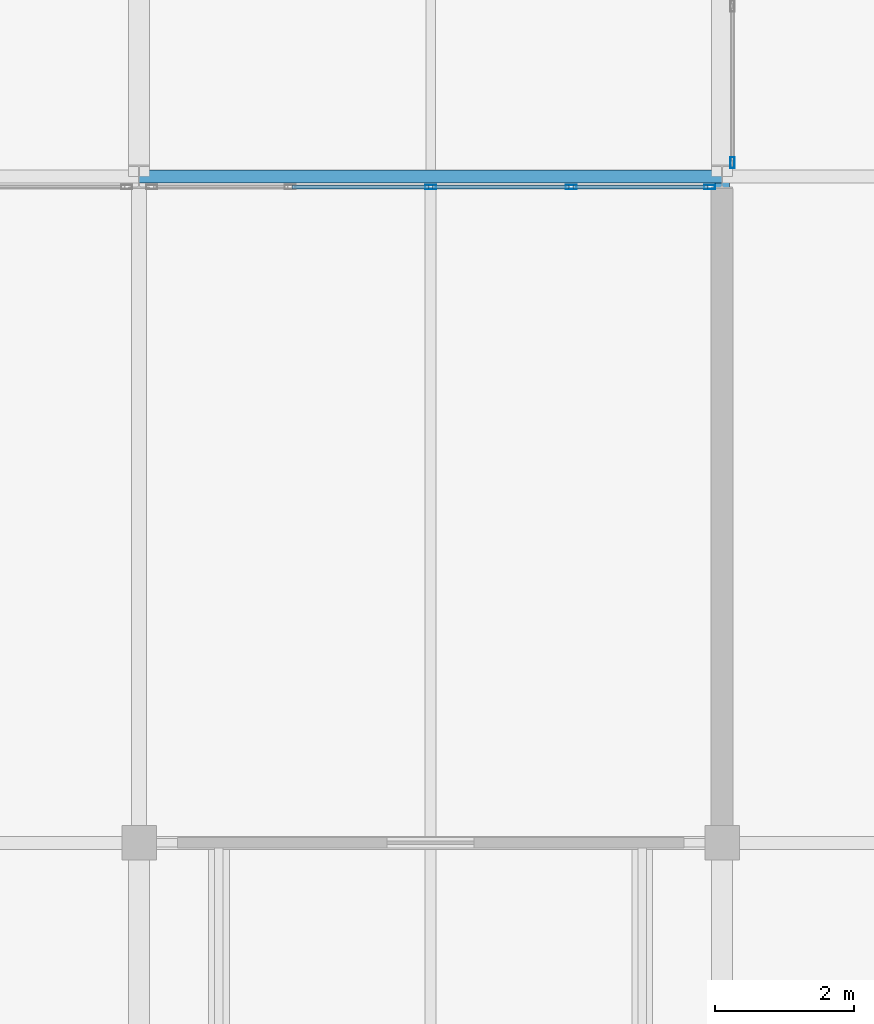
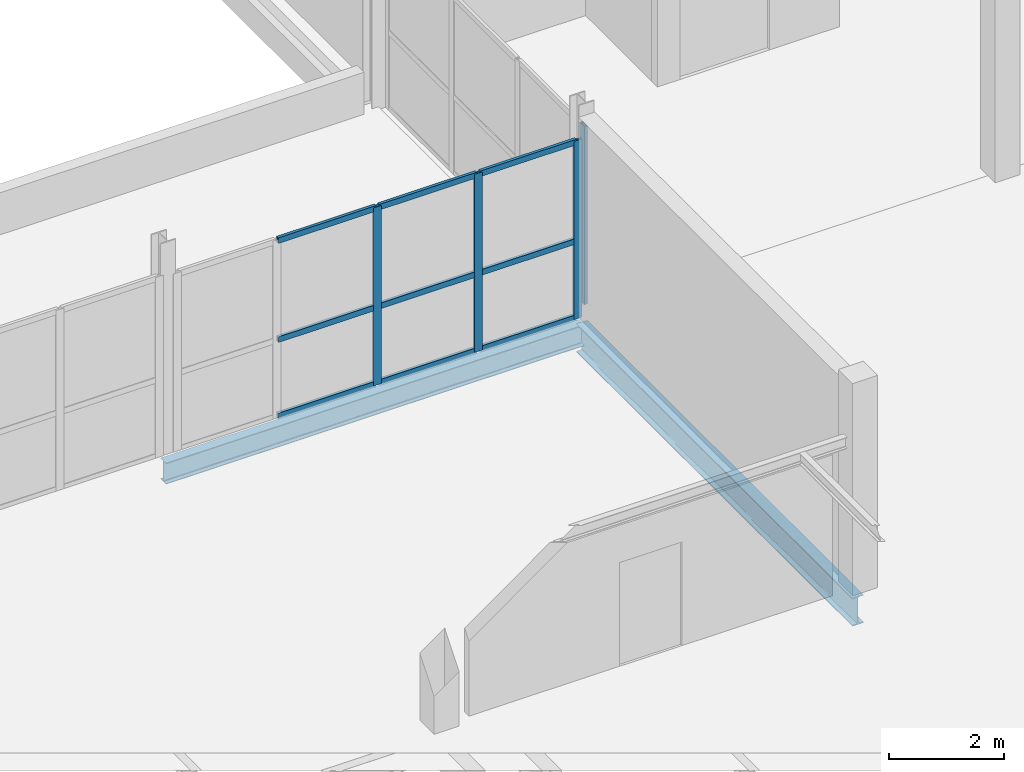
# One storey, part 53 of 103: 13 members, 2 beams, 2 elements without a shape of their own.
"""IFC4 building model written with IfcOpenShell, lengths in metres."""

from ifc_helpers import new_model, si_unit, direction, frame, origin, origin_2d, place, context, subcontext, project, spatial, hollow_rectangle, i_section, extrude, material, material_profile, profile_set, type_object, element, aggregate, save


model = new_model("IFC4")

# Units and contexts
model_context = context("Model", 3, precision=1e-05, world=origin(), true_north=direction((0.0, 1.0)))
body_context = subcontext(model_context, "Body", "Model", "MODEL_VIEW")
ifc_project = project(units=[si_unit("LENGTHUNIT", "METRE"), si_unit("AREAUNIT", "SQUARE_METRE"), si_unit("VOLUMEUNIT", "CUBIC_METRE"), si_unit("PLANEANGLEUNIT", "RADIAN"), si_unit("MASSUNIT", "GRAM", prefix="KILO")], contexts=[model_context])

# Site, building, storey
site_placement = place(None, origin())
site = spatial("IfcSite", under=ifc_project, at=site_placement, CompositionType="ELEMENT")
building_placement = place(site_placement, origin())
building = spatial("IfcBuilding", under=site, at=building_placement, Name="Veltarok Museum of Natural Sciences", CompositionType="ELEMENT")
storey_placement = place(building_placement, frame((0.0, 0.0, 21.89990234375)))
storey = spatial("IfcBuildingStorey", under=building, at=storey_placement, Name="L04", CompositionType="ELEMENT", Elevation=21.89990234375)

# Curtain wall, members
ifc_material_1 = material(Name="Low-iron triple insulated glass", Category="glass")
curtain_wall_type_1 = type_object("IfcCurtainWallType", Name="Curtain Wall System CW-V5CN4-L04-2-810x378 (CW-V5CN4 L04 810x378cm)", PredefinedType="NOTDEFINED", material=ifc_material_1)
curtain_wall_1_placement = place(storey_placement, origin())
curtain_wall_1 = element("IfcCurtainWall", 1, at=curtain_wall_1_placement, inside=storey, type_object=curtain_wall_type_1, Name="Curtain Wall CW-V5CN4-L04-2-810x378 CW-0198", PredefinedType="NOTDEFINED")
ifc_material_2 = material(Name="Thermally broken anodised aluminium", Category="aluminium")
ifc_material_profile_1 = material_profile(ifc_material_2, hollow_rectangle(XDim=0.06005859375, YDim=0.1201171875, WallThickness=0.0048828125, at=origin_2d()), Name="CW TRANSOM 60x120x5")
ifc_profile_set_1 = profile_set([ifc_material_profile_1], Name="Thermally broken anodised aluminium")
member_type_1 = type_object("IfcMemberType", Name="Curtain Wall Horizontal Transom 60x120x5", PredefinedType="USERDEFINED", material=ifc_profile_set_1)
member_1_placement = place(storey_placement, frame((132.18994140625, 19.050048828125, 0.028076171875), z_axis=(-1.0, 0.0, 0.0), x_axis=(0.0, -1.0, 0.0)))
member_1 = element("IfcMember", 2, at=member_1_placement, type_object=member_type_1, Name="CW-V5CN4-L04-2-810x378 transom 1.1", ObjectType="TRANSOM", PredefinedType="USERDEFINED", context=body_context, shape_type="SweptSolid", body=[
    extrude(hollow_rectangle(XDim=0.06005859375, YDim=0.1201171875, WallThickness=0.0048828125, at=origin_2d()), origin(), (0.0, 0.0, 1.0), 1.93505859375),
])
member_2_placement = place(storey_placement, frame((132.18994140625, 19.050048828125, 1.648193359375), z_axis=(-1.0, 0.0, 0.0), x_axis=(0.0, -1.0, 0.0)))
member_2 = element("IfcMember", 3, at=member_2_placement, type_object=member_type_1, Name="CW-V5CN4-L04-2-810x378 transom 1.2", ObjectType="TRANSOM", PredefinedType="USERDEFINED", context=body_context, shape_type="SweptSolid", body=[
    extrude(hollow_rectangle(XDim=0.06005859375, YDim=0.1201171875, WallThickness=0.0048828125, at=origin_2d()), origin(), (0.0, 0.0, 1.0), 1.93505859375),
])
member_3_placement = place(storey_placement, frame((132.18994140625, 19.050048828125, 3.75), z_axis=(-1.0, 0.0, 0.0), x_axis=(0.0, -1.0, 0.0)))
member_3 = element("IfcMember", 4, at=member_3_placement, type_object=member_type_1, Name="CW-V5CN4-L04-2-810x378 transom 1.3", ObjectType="TRANSOM", PredefinedType="USERDEFINED", context=body_context, shape_type="SweptSolid", body=[
    extrude(hollow_rectangle(XDim=0.06005859375, YDim=0.1201171875, WallThickness=0.0048828125, at=origin_2d()), origin(), (0.0, 0.0, 1.0), 1.93505859375),
])
member_4_placement = place(storey_placement, frame((130.195068359375, 19.050048828125, 0.028076171875), z_axis=(-1.0, 0.0, 0.0), x_axis=(0.0, -1.0, 0.0)))
member_4 = element("IfcMember", 5, at=member_4_placement, type_object=member_type_1, Name="CW-V5CN4-L04-2-810x378 transom 2.1", ObjectType="TRANSOM", PredefinedType="USERDEFINED", context=body_context, shape_type="SweptSolid", body=[
    extrude(hollow_rectangle(XDim=0.06005859375, YDim=0.1201171875, WallThickness=0.0048828125, at=origin_2d()), origin(), (0.0, 0.0, 1.0), 1.965087890625),
])
member_5_placement = place(storey_placement, frame((130.195068359375, 19.050048828125, 1.648193359375), z_axis=(-1.0, 0.0, 0.0), x_axis=(0.0, -1.0, 0.0)))
member_5 = element("IfcMember", 6, at=member_5_placement, type_object=member_type_1, Name="CW-V5CN4-L04-2-810x378 transom 2.2", ObjectType="TRANSOM", PredefinedType="USERDEFINED", context=body_context, shape_type="SweptSolid", body=[
    extrude(hollow_rectangle(XDim=0.06005859375, YDim=0.1201171875, WallThickness=0.0048828125, at=origin_2d()), origin(), (0.0, 0.0, 1.0), 1.965087890625),
])
member_6_placement = place(storey_placement, frame((130.195068359375, 19.050048828125, 3.75), z_axis=(-1.0, 0.0, 0.0), x_axis=(0.0, -1.0, 0.0)))
member_6 = element("IfcMember", 7, at=member_6_placement, type_object=member_type_1, Name="CW-V5CN4-L04-2-810x378 transom 2.3", ObjectType="TRANSOM", PredefinedType="USERDEFINED", context=body_context, shape_type="SweptSolid", body=[
    extrude(hollow_rectangle(XDim=0.06005859375, YDim=0.1201171875, WallThickness=0.0048828125, at=origin_2d()), origin(), (0.0, 0.0, 1.0), 1.965087890625),
])
member_7_placement = place(storey_placement, frame((128.169921875, 19.050048828125, 0.028076171875), z_axis=(-1.0, 0.0, 0.0), x_axis=(0.0, -1.0, 0.0)))
member_7 = element("IfcMember", 8, at=member_7_placement, type_object=member_type_1, Name="CW-V5CN4-L04-2-810x378 transom 3.1", ObjectType="TRANSOM", PredefinedType="USERDEFINED", context=body_context, shape_type="SweptSolid", body=[
    extrude(hollow_rectangle(XDim=0.06005859375, YDim=0.1201171875, WallThickness=0.0048828125, at=origin_2d()), origin(), (0.0, 0.0, 1.0), 1.96484375),
])
member_8_placement = place(storey_placement, frame((128.169921875, 19.050048828125, 1.648193359375), z_axis=(-1.0, 0.0, 0.0), x_axis=(0.0, -1.0, 0.0)))
member_8 = element("IfcMember", 9, at=member_8_placement, type_object=member_type_1, Name="CW-V5CN4-L04-2-810x378 transom 3.2", ObjectType="TRANSOM", PredefinedType="USERDEFINED", context=body_context, shape_type="SweptSolid", body=[
    extrude(hollow_rectangle(XDim=0.06005859375, YDim=0.1201171875, WallThickness=0.0048828125, at=origin_2d()), origin(), (0.0, 0.0, 1.0), 1.96484375),
])
member_9_placement = place(storey_placement, frame((128.169921875, 19.050048828125, 3.75), z_axis=(-1.0, 0.0, 0.0), x_axis=(0.0, -1.0, 0.0)))
member_9 = element("IfcMember", 10, at=member_9_placement, type_object=member_type_1, Name="CW-V5CN4-L04-2-810x378 transom 3.3", ObjectType="TRANSOM", PredefinedType="USERDEFINED", context=body_context, shape_type="SweptSolid", body=[
    extrude(hollow_rectangle(XDim=0.06005859375, YDim=0.1201171875, WallThickness=0.0048828125, at=origin_2d()), origin(), (0.0, 0.0, 1.0), 1.96484375),
])

# Curtain wall, member
curtain_wall_type_2 = type_object("IfcCurtainWallType", Name="Curtain Wall System CW-V5CW-L04-2-686x378 (CW-V5CW L04 686x378cm)", PredefinedType="NOTDEFINED", material=ifc_material_1)
curtain_wall_2_placement = place(storey_placement, origin())
curtain_wall_2 = element("IfcCurtainWall", 11, at=curtain_wall_2_placement, inside=storey, type_object=curtain_wall_type_2, Name="Curtain Wall CW-V5CW-L04-2-686x378 CW-0182", PredefinedType="NOTDEFINED")
ifc_material_profile_2 = material_profile(ifc_material_2, hollow_rectangle(XDim=0.06005859375, YDim=0.159912109375, WallThickness=0.0048828125, at=origin_2d()), Name="CW MULLION 60x160x5")
ifc_profile_set_2 = profile_set([ifc_material_profile_2], Name="Thermally broken anodised aluminium")
member_type_2 = type_object("IfcMemberType", Name="Curtain Wall Vertical Mullion 60x160x5", PredefinedType="MULLION", material=ifc_profile_set_2)
member_10_placement = place(storey_placement, frame((132.550048828125, 19.39990234375, -0.001953125), z_axis=(0.0, 0.0, 1.0), x_axis=(-1.0, 0.0, 0.0)))
member_10 = element("IfcMember", 12, at=member_10_placement, type_object=member_type_2, Name="CW-V5CW-L04-2-686x378 mullion 1", PredefinedType="MULLION", context=body_context, shape_type="SweptSolid", body=[
    extrude(hollow_rectangle(XDim=0.06005859375, YDim=0.159912109375, WallThickness=0.0048828125, at=origin_2d()), origin(), (0.0, 0.0, 1.0), 3.781982421875),
])
aggregate(curtain_wall_2, [member_10])

# Member
member_11_placement = place(storey_placement, frame((132.219970703125, 19.050048828125, -0.001953125), z_axis=(0.0, 0.0, 1.0), x_axis=(0.0, -1.0, 0.0)))
member_11 = element("IfcMember", 13, at=member_11_placement, type_object=member_type_2, Name="CW-V5CN4-L04-2-810x378 mullion 1", PredefinedType="MULLION", context=body_context, shape_type="SweptSolid", body=[
    extrude(hollow_rectangle(XDim=0.06005859375, YDim=0.159912109375, WallThickness=0.0048828125, at=origin_2d()), origin(), (0.0, 0.0, 1.0), 3.781982421875),
])

member_12_placement = place(storey_placement, frame((130.22509765625, 19.050048828125, -0.001953125), z_axis=(0.0, 0.0, 1.0), x_axis=(0.0, -1.0, 0.0)))
member_12 = element("IfcMember", 14, at=member_12_placement, type_object=member_type_2, Name="CW-V5CN4-L04-2-810x378 mullion 2", PredefinedType="MULLION", context=body_context, shape_type="SweptSolid", body=[
    extrude(hollow_rectangle(XDim=0.06005859375, YDim=0.159912109375, WallThickness=0.0048828125, at=origin_2d()), origin(), (0.0, 0.0, 1.0), 3.781982421875),
])

member_13_placement = place(storey_placement, frame((128.199951171875, 19.050048828125, -0.001953125), z_axis=(0.0, 0.0, 1.0), x_axis=(0.0, -1.0, 0.0)))
member_13 = element("IfcMember", 15, at=member_13_placement, type_object=member_type_2, Name="CW-V5CN4-L04-2-810x378 mullion 3", PredefinedType="MULLION", context=body_context, shape_type="SweptSolid", body=[
    extrude(hollow_rectangle(XDim=0.06005859375, YDim=0.159912109375, WallThickness=0.0048828125, at=origin_2d()), origin(), (0.0, 0.0, 1.0), 3.781982421875),
])

aggregate(curtain_wall_1, [member_11, member_12, member_13, member_1, member_2, member_3, member_4, member_5, member_6, member_7, member_8, member_9])

# Beams
ifc_material_3 = material(Name="Steel S355J2", Category="steel")
ifc_material_profile_3 = material_profile(ifc_material_3, i_section(OverallWidth=0.18994140625, OverallDepth=0.449951171875, WebThickness=0.009521484375, FlangeThickness=0.0146484375, FilletRadius=0.02099609375, at=origin_2d()), Name="IPE 450")
ifc_profile_set_3 = profile_set([ifc_material_profile_3], Name="Steel S355J2")
beam_type_1 = type_object("IfcBeamType", Name="Laboratory Floor Girder IPE 450", PredefinedType="BEAM", material=ifc_profile_set_3)
beam_1_placement = place(storey_placement, frame((124.0, 19.199951171875, -0.474853515625), z_axis=(1.0, 0.0, 0.0), x_axis=(0.0, 1.0, 0.0)))
element("IfcBeam", 16, at=beam_1_placement, inside=storey, type_object=beam_type_1, Name="Beam BM-G05 L04 15-16/C", PredefinedType="BEAM", context=body_context, shape_type="SweptSolid", body=[
    extrude(i_section(OverallWidth=0.18994140625, OverallDepth=0.449951171875, WebThickness=0.009521484375, FlangeThickness=0.0146484375, FilletRadius=0.02099609375, at=origin_2d()), origin(), (0.0, 0.0, 1.0), 8.39990234375),
])
ifc_material_profile_4 = material_profile(ifc_material_3, i_section(OverallWidth=0.219970703125, OverallDepth=0.60009765625, WebThickness=0.011962890625, FlangeThickness=0.01904296875, FilletRadius=0.02392578125, at=origin_2d()), Name="IPE 600")
ifc_profile_set_4 = profile_set([ifc_material_profile_4], Name="Steel S355J2")
beam_type_2 = type_object("IfcBeamType", Name="Primary Museum Girder IPE 600", PredefinedType="BEAM", material=ifc_profile_set_4)
beam_2_placement = place(storey_placement, frame((132.39990234375, 9.60009765625, -0.5498046875), z_axis=(0.0, 1.0, 0.0), x_axis=(-1.0, 0.0, 0.0)))
element("IfcBeam", 17, at=beam_2_placement, inside=storey, type_object=beam_type_2, Name="Beam BM-G02 L04 16/B-C", PredefinedType="BEAM", context=body_context, shape_type="SweptSolid", body=[
    extrude(i_section(OverallWidth=0.219970703125, OverallDepth=0.60009765625, WebThickness=0.011962890625, FlangeThickness=0.01904296875, FilletRadius=0.02392578125, at=origin_2d()), origin(), (0.0, 0.0, 1.0), 9.599853515625),
])

save(model, "model.ifc")
